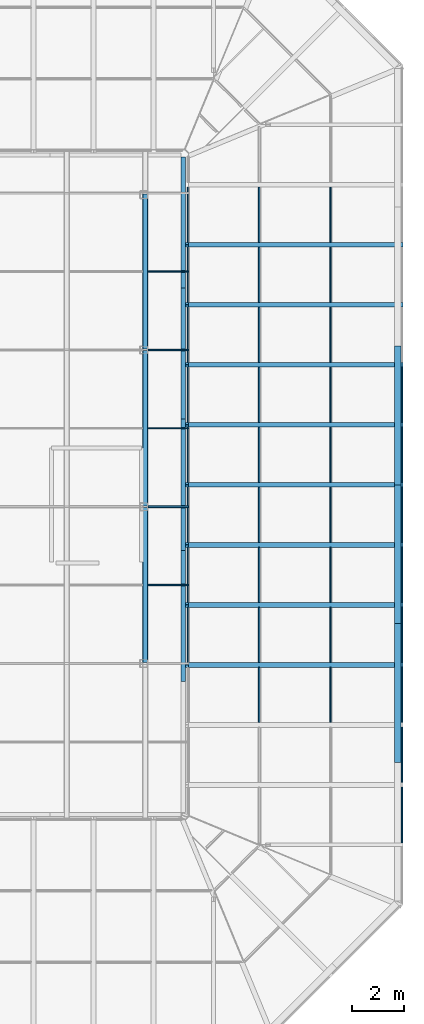
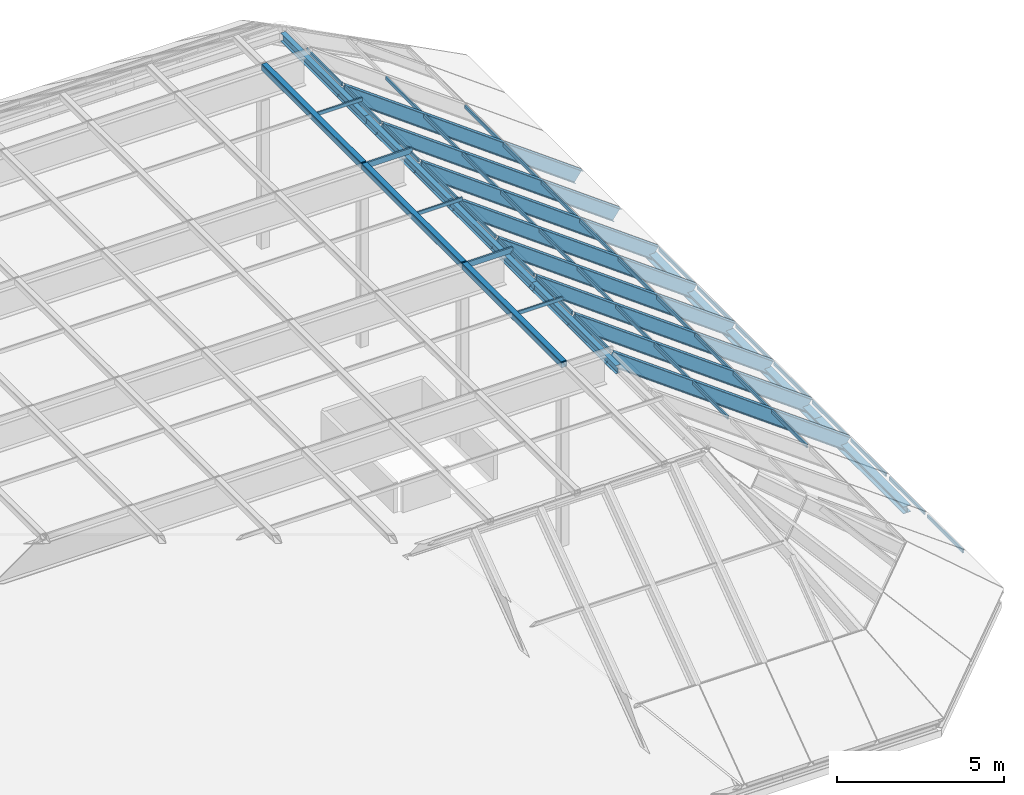
# One storey, part 7 of 15: 60 members, 2 elements without a shape of their own.
"""IFC4 building model written with IfcOpenShell, lengths in metres."""

import ifcopenshell
import ifcopenshell.guid

model = None  # the IFC model being written
_history = None  # IfcOwnerHistory: only IFC2X3 demands one
_inside = {}  # id of a spatial element -> (the spatial element, [elements in it])
_under = {}  # id of a project, library or spatial element -> (it, [spatial elements below it])
_declared = {}  # id of a project -> (the project, [libraries it declares])
_typed = {}  # id of a type object -> (the type object, [elements of that type])
_made_of = {}  # id of a material, layer set ... -> (it, [elements and type objects made of it])


def new_model(schema):
    """Start an empty IFC model of exactly this schema.

    Asked for "IFC4X3", IfcOpenShell would pick the latest addendum, in which some entities
    have other attributes; the version numbers below select the first issue.
    IFC2X3 requires an IfcOwnerHistory on every rooted entity: one is made here for all.
    """
    global model, _history
    if schema == "IFC4X3":
        model = ifcopenshell.file(schema_version=(4, 3, 0, 0))
    else:
        model = ifcopenshell.file(schema=schema)
    _inside.clear()
    _under.clear()
    _declared.clear()
    _typed.clear()
    _made_of.clear()
    _history = None
    if model.schema == "IFC2X3":
        org = make("IfcOrganization", Name="unknown")
        user = make(
            "IfcPersonAndOrganization",
            ThePerson=make("IfcPerson", FamilyName="unknown"),
            TheOrganization=org,
        )
        app = make(
            "IfcApplication",
            ApplicationDeveloper=org,
            Version="unknown",
            ApplicationFullName="unknown",
            ApplicationIdentifier="unknown",
        )
        _history = make(
            "IfcOwnerHistory",
            OwningUser=user,
            OwningApplication=app,
            ChangeAction="ADDED",
            CreationDate=0,
        )
    return model


def make(cls, **values):
    """One entity of the class cls with the attributes given. An attribute that is None is left unset."""
    return model.create_entity(
        cls, **{name: value for name, value in values.items() if value is not None}
    )


def rooted(cls, **values):
    """An entity with a GlobalId (a new one), such as an element, a storey or a relation."""
    return make(cls, GlobalId=ifcopenshell.guid.new(), OwnerHistory=_history, **values)


def si_unit(unit_type, name, prefix=None):
    """IfcSIUnit, for example si_unit("LENGTHUNIT", "METRE", prefix="MILLI")."""
    return make("IfcSIUnit", UnitType=unit_type, Prefix=prefix, Name=name)


def assignment(units):
    """IfcUnitAssignment: the units of a project."""
    return None if units is None else make("IfcUnitAssignment", Units=units)


def point(xyz):
    """IfcCartesianPoint."""
    return None if xyz is None else make("IfcCartesianPoint", Coordinates=xyz)


def direction(xyz):
    """IfcDirection."""
    return None if xyz is None else make("IfcDirection", DirectionRatios=xyz)


def frame(location, z_axis=None, x_axis=None):
    """IfcAxis2Placement3D, a coordinate frame: its origin and axes. An axis left out is left unset."""
    return make(
        "IfcAxis2Placement3D",
        Location=point(location),
        Axis=direction(z_axis),
        RefDirection=direction(x_axis),
    )


def frame_2d(location, x_axis=None):
    """IfcAxis2Placement2D, a coordinate frame in the plane: its origin and x axis."""
    return make(
        "IfcAxis2Placement2D", Location=point(location), RefDirection=direction(x_axis)
    )


def origin():
    """The frame at (0, 0, 0) with its axes left unset."""
    return frame((0.0, 0.0, 0.0))


def origin_2d():
    """The frame at (0, 0) in the plane with its x axis left unset."""
    return frame_2d((0.0, 0.0))


def place(relative_to, where):
    """IfcLocalPlacement: puts the frame where relative to a parent placement (None: the world)."""
    return make(
        "IfcLocalPlacement", PlacementRelTo=relative_to, RelativePlacement=where
    )


def context(
    kind, dimensions, precision=None, world=None, true_north=None, identifier=None
):
    """IfcGeometricRepresentationContext, for example the 3D "Model" context."""
    return make(
        "IfcGeometricRepresentationContext",
        ContextIdentifier=identifier,
        ContextType=kind,
        CoordinateSpaceDimension=dimensions,
        Precision=precision,
        WorldCoordinateSystem=world,
        TrueNorth=true_north,
    )


def subcontext(parent, identifier, kind, view, scale=None):
    """IfcGeometricRepresentationSubContext, for example "Body" below "Model"."""
    return make(
        "IfcGeometricRepresentationSubContext",
        ContextIdentifier=identifier,
        ContextType=kind,
        ParentContext=parent,
        TargetScale=scale,
        TargetView=view,
    )


def project(units=None, contexts=None):
    """IfcProject with its units and contexts."""
    return rooted(
        "IfcProject",
        Name="project",
        RepresentationContexts=contexts,
        UnitsInContext=assignment(units),
    )


def spatial(cls, under=None, at=None, **own):
    """A site, building, storey or space (cls), placed at a placement, below another one or the project."""
    s = rooted(cls, ObjectPlacement=at, **own)
    if under is not None:
        _under.setdefault(under.id(), (under, []))[1].append(s)
    return s


def profile(cls, at=None, kind="AREA", **sizes):
    """A parametric profile (cls). Its sizes go by their IFC names, for example OverallWidth=200.0."""
    return make(cls, ProfileType=kind, Position=at, **sizes)


def rectangle(**sizes):
    """IfcRectangleProfileDef."""
    return profile("IfcRectangleProfileDef", **sizes)


def hollow_rectangle(**sizes):
    """IfcRectangleHollowProfileDef."""
    return profile("IfcRectangleHollowProfileDef", **sizes)


def i_section(**sizes):
    """IfcIShapeProfileDef."""
    return profile("IfcIShapeProfileDef", **sizes)


def extrude(swept, where, along, depth):
    """IfcExtrudedAreaSolid: the profile swept, set in the frame where, extruded along a direction by depth."""
    return make(
        "IfcExtrudedAreaSolid",
        SweptArea=swept,
        Position=where,
        ExtrudedDirection=direction(along),
        Depth=depth,
    )


def shape(context_of_items, identifier, shape_type, items):
    """IfcShapeRepresentation: the items that make up one representation, for example the "Body"."""
    return make(
        "IfcShapeRepresentation",
        ContextOfItems=context_of_items,
        RepresentationIdentifier=identifier,
        RepresentationType=shape_type,
        Items=items,
    )


def material(Name=None, Category=None):
    """IfcMaterial."""
    return make("IfcMaterial", Name=Name, Category=Category)


def constituent(of_material, Name=None, Category=None, fraction=None):
    """IfcMaterialConstituent: one of the materials an element consists of."""
    return make(
        "IfcMaterialConstituent",
        Name=Name,
        Material=of_material,
        Fraction=fraction,
        Category=Category,
    )


def constituent_set(constituents=None, Name=None):
    """IfcMaterialConstituentSet."""
    return make(
        "IfcMaterialConstituentSet", Name=Name, MaterialConstituents=constituents
    )


def material_profile(
    of_material, cross_section, Name=None, Category=None, Priority=None
):
    """IfcMaterialProfile: a cross section and its material."""
    return make(
        "IfcMaterialProfile",
        Name=Name,
        Material=of_material,
        Profile=cross_section,
        Priority=Priority,
        Category=Category,
    )


def profile_set(profiles, Name=None, composite=None):
    """IfcMaterialProfileSet."""
    return make(
        "IfcMaterialProfileSet",
        Name=Name,
        MaterialProfiles=profiles,
        CompositeProfile=composite,
    )


def made_of(thing, what):
    """Note that an element or type object is made of a material, layer set ...; save() writes the relation."""
    if what is not None:
        _made_of.setdefault(what.id(), (what, []))[1].append(thing)
    return thing


def type_object(cls, material=None, **own):
    """A type object (cls), such as IfcWallType, which elements share."""
    return made_of(rooted(cls, **own), material)


def element(
    cls,
    number,
    at=None,
    inside=None,
    cuts=None,
    type_object=None,
    material=None,
    context=None,
    identifier="Body",
    shape_type=None,
    held_by="IfcProductDefinitionShape",
    body=None,
    shapes=None,
    **own,
):
    """One element of the class cls, such as IfcWall. Its Tag is "e" and its number.

    at: its placement. inside: the storey or other place that contains it. cuts: it is an
    opening in that element (IfcRelVoidsElement). A single representation is given by context,
    identifier, shape_type and body (its items); several are given by shapes. held_by: the class
    of the entity that holds the representations. save() writes the other relations.
    """
    e = rooted(cls, Tag="e%d" % number, ObjectPlacement=at, **own)
    if body is not None:
        shapes = [shape(context, identifier, shape_type, body)]
    if shapes is not None:
        e.Representation = make(held_by, Representations=shapes)
    if inside is not None:
        _inside.setdefault(inside.id(), (inside, []))[1].append(e)
    if cuts is not None:
        rooted(
            "IfcRelVoidsElement", RelatingBuildingElement=cuts, RelatedOpeningElement=e
        )
    if type_object is not None:
        _typed.setdefault(type_object.id(), (type_object, []))[1].append(e)
    return made_of(e, material)


def aggregate(whole, parts):
    """IfcRelAggregates: a whole, such as a stair, and the parts it consists of."""
    return rooted("IfcRelAggregates", RelatingObject=whole, RelatedObjects=parts)


def save(model, path):
    """Write the relations noted so far, then the file.

    IfcRelAggregates (storeys below a building ...), IfcRelContainedInSpatialStructure (elements
    in a storey), IfcRelDefinesByType, IfcRelAssociatesMaterial and IfcRelDeclares: one each for
    every whole, place, type object, material and project.
    """
    for whole, parts in _under.values():
        aggregate(whole, parts)
    for where, things in _inside.values():
        rooted(
            "IfcRelContainedInSpatialStructure",
            RelatedElements=things,
            RelatingStructure=where,
        )
    for kind, things in _typed.values():
        rooted("IfcRelDefinesByType", RelatedObjects=things, RelatingType=kind)
    for what, things in _made_of.values():
        rooted("IfcRelAssociatesMaterial", RelatedObjects=things, RelatingMaterial=what)
    for by, libraries in _declared.values():
        rooted("IfcRelDeclares", RelatingContext=by, RelatedDefinitions=libraries)
    model.write(path)


model = new_model("IFC4")

# Units and contexts
model_context = context("Model", 3, precision=1e-05, world=origin(), true_north=direction((0.0, 1.0)))
body_context = subcontext(model_context, "Body", "Model", "MODEL_VIEW")
ifc_project = project(units=[si_unit("LENGTHUNIT", "METRE"), si_unit("AREAUNIT", "SQUARE_METRE"), si_unit("VOLUMEUNIT", "CUBIC_METRE"), si_unit("PLANEANGLEUNIT", "RADIAN"), si_unit("MASSUNIT", "GRAM", prefix="KILO")], contexts=[model_context])

# Site, building, storey
site_placement = place(None, origin())
site = spatial("IfcSite", under=ifc_project, at=site_placement, CompositionType="ELEMENT")
building_placement = place(site_placement, origin())
building = spatial("IfcBuilding", under=site, at=building_placement, Name="Quoin Convention Tower", CompositionType="ELEMENT")
storey_placement = place(building_placement, frame((0.0, 0.0, 273.699951171875)))
storey = spatial("IfcBuildingStorey", under=building, at=storey_placement, Name="Roof", CompositionType="ELEMENT", Elevation=273.699951171875)

# Curtain wall, members
ifc_material_1 = material(Name="Aluminium", Category="aluminium")
ifc_constituent_1 = constituent(ifc_material_1, Name="Frame")
ifc_material_2 = material(Name="Insulated glass", Category="glass")
ifc_constituent_2 = constituent(ifc_material_2, Name="Glazing")
ifc_constituent_set = constituent_set(constituents=[ifc_constituent_1, ifc_constituent_2], Name="Aluminium")
curtain_wall_type = type_object("IfcCurtainWallType", Name="Lantern roof system", PredefinedType="NOTDEFINED", material=ifc_constituent_set)
curtain_wall_1_placement = place(storey_placement, origin())
curtain_wall_1 = element("IfcCurtainWall", 1, at=curtain_wall_1_placement, inside=storey, type_object=curtain_wall_type, Name="crn-LNR-CAP", PredefinedType="NOTDEFINED")
ifc_material_3 = material(Name="Steel C450L0", Category="steel")
ifc_material_profile_1 = material_profile(ifc_material_3, hollow_rectangle(XDim=0.199951171875, YDim=0.199951171875, WallThickness=0.010009765625, InnerFilletRadius=0.014892578125, OuterFilletRadius=0.02490234375, at=origin_2d()), Name="200x200x10.0SHS")
ifc_profile_set_1 = profile_set([ifc_material_profile_1], Name="Steel C450L0")
member_type_1 = type_object("IfcMemberType", Name="200x200x10.0SHS LANTERN CAP RAIL", PredefinedType="MULLION", material=ifc_profile_set_1)
member_1_placement = place(storey_placement, frame((67.409912109375, 53.93994140625, 6.495361328125), z_axis=(0.0, 1.0, 0.0), x_axis=(-1.0, 0.0, 0.0)))
member_1 = element("IfcMember", 2, at=member_1_placement, type_object=member_type_1, Name="CW6 cap rail", PredefinedType="MULLION", context=body_context, shape_type="SweptSolid", body=[
    extrude(hollow_rectangle(XDim=0.199951171875, YDim=0.199951171875, WallThickness=0.010009765625, InnerFilletRadius=0.014892578125, OuterFilletRadius=0.02490234375, at=origin_2d()), origin(), (0.0, 0.0, 1.0), 5.93994140625),
])
member_2_placement = place(storey_placement, frame((67.409912109375, 59.93994140625, 6.495361328125), z_axis=(0.0, 1.0, 0.0), x_axis=(-1.0, 0.0, 0.0)))
member_2 = element("IfcMember", 3, at=member_2_placement, type_object=member_type_1, Name="CW6 cap rail", PredefinedType="MULLION", context=body_context, shape_type="SweptSolid", body=[
    extrude(hollow_rectangle(XDim=0.199951171875, YDim=0.199951171875, WallThickness=0.010009765625, InnerFilletRadius=0.014892578125, OuterFilletRadius=0.02490234375, at=origin_2d()), origin(), (0.0, 0.0, 1.0), 5.93994140625),
])
member_3_placement = place(storey_placement, frame((67.409912109375, 65.93994140625, 6.495361328125), z_axis=(0.0, 1.0, 0.0), x_axis=(-1.0, 0.0, 0.0)))
member_3 = element("IfcMember", 4, at=member_3_placement, type_object=member_type_1, Name="CW6 cap rail", PredefinedType="MULLION", context=body_context, shape_type="SweptSolid", body=[
    extrude(hollow_rectangle(XDim=0.199951171875, YDim=0.199951171875, WallThickness=0.010009765625, InnerFilletRadius=0.014892578125, OuterFilletRadius=0.02490234375, at=origin_2d()), origin(), (0.0, 0.0, 1.0), 5.93994140625),
])

# Members
ifc_material_4 = material(Name="Steel Grade 300", Category="steel")
ifc_material_profile_2 = material_profile(ifc_material_4, i_section(OverallWidth=0.256103515625, OverallDepth=0.260009765625, WebThickness=0.010498046875, FlangeThickness=0.017333984375, FilletRadius=0.013916015625, at=origin_2d()), Name="250UC89.5")
ifc_profile_set_2 = profile_set([ifc_material_profile_2], Name="Steel Grade 300")
member_type_2 = type_object("IfcMemberType", Name="250UC89.5 EAVES RING", PredefinedType="CHORD", material=ifc_profile_set_2)
for number, where, z_axis, x_axis, name in (
    (5, (77.072021484375, 50.12744140625, 0.130126953125), (0.0, 1.0, 0.0), (-1.0, 0.0, 0.0), "LANTERN EAVES RING"),
    (6, (77.072021484375, 55.438720703125, 0.130126953125), (0.0, 1.0, 0.0), (-1.0, 0.0, 0.0), "LANTERN EAVES RING"),
    (7, (77.072021484375, 60.75, 0.130126953125), (0.0, 1.0, 0.0), (-1.0, 0.0, 0.0), "LANTERN EAVES RING"),
):
    element("IfcMember", number, at=place(storey_placement, frame(where, z_axis=z_axis, x_axis=x_axis)), inside=storey, type_object=member_type_2, Name=name, PredefinedType="CHORD", context=body_context, shape_type="SweptSolid", body=[
        extrude(i_section(OverallWidth=0.256103515625, OverallDepth=0.260009765625, WebThickness=0.010498046875, FlangeThickness=0.017333984375, FilletRadius=0.013916015625, at=origin_2d()), origin(), (0.0, 0.0, 1.0), 5.311279296875),
    ])
ifc_material_profile_3 = material_profile(ifc_material_4, i_section(OverallWidth=0.166015625, OverallDepth=0.306884765625, WebThickness=0.006591796875, FlangeThickness=0.01171875, FilletRadius=0.011474609375, at=origin_2d()), Name="310UB46.2")
ifc_profile_set_3 = profile_set([ifc_material_profile_3], Name="Steel Grade 300")
member_type_3 = type_object("IfcMemberType", Name="310UB46.2 COMPRESSION RING", PredefinedType="CHORD", material=ifc_profile_set_3)
member_4_placement = place(storey_placement, frame((68.873046875, 53.22607421875, 6.241943359375), z_axis=(0.0, 1.0, 0.0), x_axis=(-1.0, 0.0, 0.0)))
element("IfcMember", 8, at=member_4_placement, inside=storey, type_object=member_type_3, Name="LANTERN COMPRESSION RING", PredefinedType="CHORD", context=body_context, shape_type="SweptSolid", body=[
    extrude(i_section(OverallWidth=0.166015625, OverallDepth=0.306884765625, WebThickness=0.006591796875, FlangeThickness=0.01171875, FilletRadius=0.011474609375, at=origin_2d()), origin(), (0.0, 0.0, 1.0), 5.015869140625),
])
member_5_placement = place(storey_placement, frame((68.873046875, 58.241943359375, 6.241943359375), z_axis=(0.0, 1.0, 0.0), x_axis=(-1.0, 0.0, 0.0)))
element("IfcMember", 9, at=member_5_placement, inside=storey, type_object=member_type_3, Name="LANTERN COMPRESSION RING", PredefinedType="CHORD", context=body_context, shape_type="SweptSolid", body=[
    extrude(i_section(OverallWidth=0.166015625, OverallDepth=0.306884765625, WebThickness=0.006591796875, FlangeThickness=0.01171875, FilletRadius=0.011474609375, at=origin_2d()), origin(), (0.0, 0.0, 1.0), 5.01611328125),
])
member_6_placement = place(storey_placement, frame((68.873046875, 63.258056640625, 6.241943359375), z_axis=(0.0, 1.0, 0.0), x_axis=(-1.0, 0.0, 0.0)))
element("IfcMember", 10, at=member_6_placement, inside=storey, type_object=member_type_3, Name="LANTERN COMPRESSION RING", PredefinedType="CHORD", context=body_context, shape_type="SweptSolid", body=[
    extrude(i_section(OverallWidth=0.166015625, OverallDepth=0.306884765625, WebThickness=0.006591796875, FlangeThickness=0.01171875, FilletRadius=0.011474609375, at=origin_2d()), origin(), (0.0, 0.0, 1.0), 5.015869140625),
])
member_7_placement = place(storey_placement, frame((68.873046875, 68.27392578125, 6.241943359375), z_axis=(0.0, 1.0, 0.0), x_axis=(-1.0, 0.0, 0.0)))
element("IfcMember", 11, at=member_7_placement, inside=storey, type_object=member_type_3, Name="LANTERN COMPRESSION RING", PredefinedType="CHORD", context=body_context, shape_type="SweptSolid", body=[
    extrude(i_section(OverallWidth=0.166015625, OverallDepth=0.306884765625, WebThickness=0.006591796875, FlangeThickness=0.01171875, FilletRadius=0.011474609375, at=origin_2d()), origin(), (0.0, 0.0, 1.0), 5.01611328125),
])

# Curtain wall, members
curtain_wall_2_placement = place(storey_placement, origin())
curtain_wall_2 = element("IfcCurtainWall", 12, at=curtain_wall_2_placement, inside=storey, type_object=curtain_wall_type, Name="crn-LNR-F77290_44673", PredefinedType="NOTDEFINED")
ifc_material_profile_4 = material_profile(ifc_material_4, i_section(OverallWidth=0.18994140625, OverallDepth=0.4541015625, WebThickness=0.008544921875, FlangeThickness=0.0126953125, FilletRadius=0.011474609375, at=origin_2d()), Name="460UB67.1")
ifc_profile_set_4 = profile_set([ifc_material_profile_4], Name="Steel Grade 300")
member_type_4 = type_object("IfcMemberType", Name="460UB67.1 LANTERN RAFTER", PredefinedType="MULLION", material=ifc_profile_set_4)
member_8_placement = place(storey_placement, frame((77.139404296875, 53.85986328125, 0.26953125), z_axis=(-0.807028649932, 0.0, 0.590512284537), x_axis=(0.0, -1.0, 0.0)))
member_8 = element("IfcMember", 13, at=member_8_placement, type_object=member_type_4, Name="CW6 steel rafter", PredefinedType="MULLION", context=body_context, shape_type="SweptSolid", body=[
    extrude(i_section(OverallWidth=0.18994140625, OverallDepth=0.4541015625, WebThickness=0.008544921875, FlangeThickness=0.0126953125, FilletRadius=0.011474609375, at=origin_2d()), origin(), (0.0, 0.0, 1.0), 10.16064453125),
])
member_9_placement = place(storey_placement, frame((77.139404296875, 56.156494140625, 0.26953125), z_axis=(-0.807028649932, 0.0, 0.590512284537), x_axis=(0.0, -1.0, 0.0)))
member_9 = element("IfcMember", 14, at=member_9_placement, type_object=member_type_4, Name="CW6 steel rafter", PredefinedType="MULLION", context=body_context, shape_type="SweptSolid", body=[
    extrude(i_section(OverallWidth=0.18994140625, OverallDepth=0.4541015625, WebThickness=0.008544921875, FlangeThickness=0.0126953125, FilletRadius=0.011474609375, at=origin_2d()), origin(), (0.0, 0.0, 1.0), 10.16064453125),
])
member_10_placement = place(storey_placement, frame((77.139404296875, 58.453369140625, 0.26953125), z_axis=(-0.807028649932, 0.0, 0.590512284537), x_axis=(0.0, -1.0, 0.0)))
member_10 = element("IfcMember", 15, at=member_10_placement, type_object=member_type_4, Name="CW6 steel rafter", PredefinedType="MULLION", context=body_context, shape_type="SweptSolid", body=[
    extrude(i_section(OverallWidth=0.18994140625, OverallDepth=0.4541015625, WebThickness=0.008544921875, FlangeThickness=0.0126953125, FilletRadius=0.011474609375, at=origin_2d()), origin(), (0.0, 0.0, 1.0), 10.16064453125),
])
member_11_placement = place(storey_placement, frame((77.139404296875, 60.75, 0.26953125), z_axis=(-0.807028649932, 0.0, 0.590512284537), x_axis=(0.0, -1.0, 0.0)))
member_11 = element("IfcMember", 16, at=member_11_placement, type_object=member_type_4, Name="CW6 steel rafter", PredefinedType="MULLION", context=body_context, shape_type="SweptSolid", body=[
    extrude(i_section(OverallWidth=0.18994140625, OverallDepth=0.4541015625, WebThickness=0.008544921875, FlangeThickness=0.0126953125, FilletRadius=0.011474609375, at=origin_2d()), origin(), (0.0, 0.0, 1.0), 10.16064453125),
])
member_12_placement = place(storey_placement, frame((77.139404296875, 63.046630859375, 0.26953125), z_axis=(-0.807028649932, 0.0, 0.590512284537), x_axis=(0.0, -1.0, 0.0)))
member_12 = element("IfcMember", 17, at=member_12_placement, type_object=member_type_4, Name="CW6 steel rafter", PredefinedType="MULLION", context=body_context, shape_type="SweptSolid", body=[
    extrude(i_section(OverallWidth=0.18994140625, OverallDepth=0.4541015625, WebThickness=0.008544921875, FlangeThickness=0.0126953125, FilletRadius=0.011474609375, at=origin_2d()), origin(), (0.0, 0.0, 1.0), 10.16064453125),
])
member_13_placement = place(storey_placement, frame((77.139404296875, 65.343505859375, 0.26953125), z_axis=(-0.807028649932, 0.0, 0.590512284537), x_axis=(0.0, -1.0, 0.0)))
member_13 = element("IfcMember", 18, at=member_13_placement, type_object=member_type_4, Name="CW6 steel rafter", PredefinedType="MULLION", context=body_context, shape_type="SweptSolid", body=[
    extrude(i_section(OverallWidth=0.18994140625, OverallDepth=0.4541015625, WebThickness=0.008544921875, FlangeThickness=0.0126953125, FilletRadius=0.011474609375, at=origin_2d()), origin(), (0.0, 0.0, 1.0), 10.16064453125),
])
member_14_placement = place(storey_placement, frame((77.139404296875, 67.64013671875, 0.26953125), z_axis=(-0.807028649932, 0.0, 0.590512284537), x_axis=(0.0, -1.0, 0.0)))
member_14 = element("IfcMember", 19, at=member_14_placement, type_object=member_type_4, Name="CW6 steel rafter", PredefinedType="MULLION", context=body_context, shape_type="SweptSolid", body=[
    extrude(i_section(OverallWidth=0.18994140625, OverallDepth=0.4541015625, WebThickness=0.008544921875, FlangeThickness=0.0126953125, FilletRadius=0.011474609375, at=origin_2d()), origin(), (0.0, 0.0, 1.0), 10.16064453125),
])
member_15_placement = place(storey_placement, frame((77.139404296875, 69.93701171875, 0.26953125), z_axis=(-0.807028649932, 0.0, 0.590512284537), x_axis=(0.0, -1.0, 0.0)))
member_15 = element("IfcMember", 20, at=member_15_placement, type_object=member_type_4, Name="CW6 steel rafter", PredefinedType="MULLION", context=body_context, shape_type="SweptSolid", body=[
    extrude(i_section(OverallWidth=0.18994140625, OverallDepth=0.4541015625, WebThickness=0.008544921875, FlangeThickness=0.0126953125, FilletRadius=0.011474609375, at=origin_2d()), origin(), (0.0, 0.0, 1.0), 10.16064453125),
])

# Member
ifc_material_profile_5 = material_profile(ifc_material_1, rectangle(XDim=0.028076171875, YDim=0.179931640625, at=origin_2d()), Name="Lantern roof cap cover bar 180x28")
ifc_profile_set_5 = profile_set([ifc_material_profile_5], Name="Aluminium")
member_type_5 = type_object("IfcMemberType", Name="Lantern roof cap cover bar 180x28", PredefinedType="USERDEFINED", material=ifc_profile_set_5)
member_16_placement = place(storey_placement, frame((67.409912109375, 53.93994140625, 6.609375), z_axis=(0.0, 1.0, 0.0), x_axis=(0.0, 0.0, 1.0)))
member_16 = element("IfcMember", 21, at=member_16_placement, type_object=member_type_5, Name="CW6 cap cover bar", ObjectType="CAP COVER", PredefinedType="USERDEFINED", context=body_context, shape_type="SweptSolid", body=[
    extrude(rectangle(XDim=0.028076171875, YDim=0.179931640625, at=origin_2d()), origin(), (0.0, 0.0, 1.0), 5.93994140625),
])

member_17_placement = place(storey_placement, frame((67.409912109375, 59.93994140625, 6.609375), z_axis=(0.0, 1.0, 0.0), x_axis=(0.0, 0.0, 1.0)))
member_17 = element("IfcMember", 22, at=member_17_placement, type_object=member_type_5, Name="CW6 cap cover bar", ObjectType="CAP COVER", PredefinedType="USERDEFINED", context=body_context, shape_type="SweptSolid", body=[
    extrude(rectangle(XDim=0.028076171875, YDim=0.179931640625, at=origin_2d()), origin(), (0.0, 0.0, 1.0), 5.93994140625),
])

member_18_placement = place(storey_placement, frame((67.409912109375, 65.93994140625, 6.609375), z_axis=(0.0, 1.0, 0.0), x_axis=(0.0, 0.0, 1.0)))
member_18 = element("IfcMember", 23, at=member_18_placement, type_object=member_type_5, Name="CW6 cap cover bar", ObjectType="CAP COVER", PredefinedType="USERDEFINED", context=body_context, shape_type="SweptSolid", body=[
    extrude(rectangle(XDim=0.028076171875, YDim=0.179931640625, at=origin_2d()), origin(), (0.0, 0.0, 1.0), 5.93994140625),
])

ifc_material_profile_6 = material_profile(ifc_material_1, rectangle(XDim=0.199951171875, YDim=0.06005859375, at=origin_2d()), Name="Lantern roof mullion 60x200")
ifc_profile_set_6 = profile_set([ifc_material_profile_6], Name="Aluminium")
member_type_6 = type_object("IfcMemberType", Name="Lantern roof mullion 60x200", PredefinedType="MULLION", material=ifc_profile_set_6)
member_19_placement = place(storey_placement, frame((67.510009765625, 59.909912109375, 6.495361328125), z_axis=(1.0, 0.0, 0.0), x_axis=(0.0, 0.0, 1.0)))
member_19 = element("IfcMember", 24, at=member_19_placement, type_object=member_type_6, Name="CW6 cap beam", PredefinedType="MULLION", context=body_context, shape_type="SweptSolid", body=[
    extrude(rectangle(XDim=0.199951171875, YDim=0.06005859375, at=origin_2d()), origin(), (0.0, 0.0, 1.0), 1.5634765625),
])

member_20_placement = place(storey_placement, frame((67.510009765625, 65.909912109375, 6.495361328125), z_axis=(1.0, 0.0, 0.0), x_axis=(0.0, 0.0, 1.0)))
member_20 = element("IfcMember", 25, at=member_20_placement, type_object=member_type_6, Name="CW6 cap beam", PredefinedType="MULLION", context=body_context, shape_type="SweptSolid", body=[
    extrude(rectangle(XDim=0.199951171875, YDim=0.06005859375, at=origin_2d()), origin(), (0.0, 0.0, 1.0), 1.5634765625),
])

ifc_material_profile_7 = material_profile(ifc_material_1, rectangle(XDim=0.1201171875, YDim=0.050048828125, at=origin_2d()), Name="Lantern roof transom 50x120")
ifc_profile_set_7 = profile_set([ifc_material_profile_7], Name="Aluminium")
member_type_7 = type_object("IfcMemberType", Name="Lantern roof transom 50x120", PredefinedType="USERDEFINED", material=ifc_profile_set_7)
member_21_placement = place(storey_placement, frame((77.238037109375, 47.0439453125, 0.404541015625), z_axis=(0.0, 1.0, 0.0), x_axis=(0.0, 0.0, 1.0)))
member_21 = element("IfcMember", 26, at=member_21_placement, type_object=member_type_7, Name="CW6 transom", ObjectType="TRANSOM", PredefinedType="USERDEFINED", context=body_context, shape_type="SweptSolid", body=[
    extrude(rectangle(XDim=0.1201171875, YDim=0.050048828125, at=origin_2d()), origin(), (0.0, 0.0, 1.0), 2.12744140625),
])

member_22_placement = place(storey_placement, frame((77.238037109375, 49.361328125, 0.404541015625), z_axis=(0.0, 1.0, 0.0), x_axis=(0.0, 0.0, 1.0)))
member_22 = element("IfcMember", 27, at=member_22_placement, type_object=member_type_7, Name="CW6 transom", ObjectType="TRANSOM", PredefinedType="USERDEFINED", context=body_context, shape_type="SweptSolid", body=[
    extrude(rectangle(XDim=0.1201171875, YDim=0.050048828125, at=origin_2d()), origin(), (0.0, 0.0, 1.0), 2.106689453125),
])

member_23_placement = place(storey_placement, frame((77.238037109375, 51.657958984375, 0.404541015625), z_axis=(0.0, 1.0, 0.0), x_axis=(0.0, 0.0, 1.0)))
member_23 = element("IfcMember", 28, at=member_23_placement, type_object=member_type_7, Name="CW6 transom", ObjectType="TRANSOM", PredefinedType="USERDEFINED", context=body_context, shape_type="SweptSolid", body=[
    extrude(rectangle(XDim=0.1201171875, YDim=0.050048828125, at=origin_2d()), origin(), (0.0, 0.0, 1.0), 2.10693359375),
])

member_24_placement = place(storey_placement, frame((77.238037109375, 53.954833984375, 0.404541015625), z_axis=(0.0, 1.0, 0.0), x_axis=(0.0, 0.0, 1.0)))
member_24 = element("IfcMember", 29, at=member_24_placement, type_object=member_type_7, Name="CW6 transom", ObjectType="TRANSOM", PredefinedType="USERDEFINED", context=body_context, shape_type="SweptSolid", body=[
    extrude(rectangle(XDim=0.1201171875, YDim=0.050048828125, at=origin_2d()), origin(), (0.0, 0.0, 1.0), 2.106689453125),
])

member_25_placement = place(storey_placement, frame((77.238037109375, 56.25146484375, 0.404541015625), z_axis=(0.0, 1.0, 0.0), x_axis=(0.0, 0.0, 1.0)))
member_25 = element("IfcMember", 30, at=member_25_placement, type_object=member_type_7, Name="CW6 transom", ObjectType="TRANSOM", PredefinedType="USERDEFINED", context=body_context, shape_type="SweptSolid", body=[
    extrude(rectangle(XDim=0.1201171875, YDim=0.050048828125, at=origin_2d()), origin(), (0.0, 0.0, 1.0), 2.10693359375),
])

member_26_placement = place(storey_placement, frame((77.238037109375, 58.54833984375, 0.404541015625), z_axis=(0.0, 1.0, 0.0), x_axis=(0.0, 0.0, 1.0)))
member_26 = element("IfcMember", 31, at=member_26_placement, type_object=member_type_7, Name="CW6 transom", ObjectType="TRANSOM", PredefinedType="USERDEFINED", context=body_context, shape_type="SweptSolid", body=[
    extrude(rectangle(XDim=0.1201171875, YDim=0.050048828125, at=origin_2d()), origin(), (0.0, 0.0, 1.0), 2.106689453125),
])

member_27_placement = place(storey_placement, frame((77.238037109375, 60.844970703125, 0.404541015625), z_axis=(0.0, 1.0, 0.0), x_axis=(0.0, 0.0, 1.0)))
member_27 = element("IfcMember", 32, at=member_27_placement, type_object=member_type_7, Name="CW6 transom", ObjectType="TRANSOM", PredefinedType="USERDEFINED", context=body_context, shape_type="SweptSolid", body=[
    extrude(rectangle(XDim=0.1201171875, YDim=0.050048828125, at=origin_2d()), origin(), (0.0, 0.0, 1.0), 2.106689453125),
])

member_28_placement = place(storey_placement, frame((77.238037109375, 63.1416015625, 0.404541015625), z_axis=(0.0, 1.0, 0.0), x_axis=(0.0, 0.0, 1.0)))
member_28 = element("IfcMember", 33, at=member_28_placement, type_object=member_type_7, Name="CW6 transom", ObjectType="TRANSOM", PredefinedType="USERDEFINED", context=body_context, shape_type="SweptSolid", body=[
    extrude(rectangle(XDim=0.1201171875, YDim=0.050048828125, at=origin_2d()), origin(), (0.0, 0.0, 1.0), 2.10693359375),
])

member_29_placement = place(storey_placement, frame((74.504638671875, 51.657958984375, 2.404541015625), z_axis=(0.0, 1.0, 0.0), x_axis=(0.0, 0.0, 1.0)))
member_29 = element("IfcMember", 34, at=member_29_placement, type_object=member_type_7, Name="CW6 transom", ObjectType="TRANSOM", PredefinedType="USERDEFINED", context=body_context, shape_type="SweptSolid", body=[
    extrude(rectangle(XDim=0.1201171875, YDim=0.050048828125, at=origin_2d()), origin(), (0.0, 0.0, 1.0), 2.10693359375),
])

member_30_placement = place(storey_placement, frame((74.504638671875, 53.954833984375, 2.404541015625), z_axis=(0.0, 1.0, 0.0), x_axis=(0.0, 0.0, 1.0)))
member_30 = element("IfcMember", 35, at=member_30_placement, type_object=member_type_7, Name="CW6 transom", ObjectType="TRANSOM", PredefinedType="USERDEFINED", context=body_context, shape_type="SweptSolid", body=[
    extrude(rectangle(XDim=0.1201171875, YDim=0.050048828125, at=origin_2d()), origin(), (0.0, 0.0, 1.0), 2.106689453125),
])

member_31_placement = place(storey_placement, frame((74.504638671875, 56.25146484375, 2.404541015625), z_axis=(0.0, 1.0, 0.0), x_axis=(0.0, 0.0, 1.0)))
member_31 = element("IfcMember", 36, at=member_31_placement, type_object=member_type_7, Name="CW6 transom", ObjectType="TRANSOM", PredefinedType="USERDEFINED", context=body_context, shape_type="SweptSolid", body=[
    extrude(rectangle(XDim=0.1201171875, YDim=0.050048828125, at=origin_2d()), origin(), (0.0, 0.0, 1.0), 2.10693359375),
])

member_32_placement = place(storey_placement, frame((74.504638671875, 58.54833984375, 2.404541015625), z_axis=(0.0, 1.0, 0.0), x_axis=(0.0, 0.0, 1.0)))
member_32 = element("IfcMember", 37, at=member_32_placement, type_object=member_type_7, Name="CW6 transom", ObjectType="TRANSOM", PredefinedType="USERDEFINED", context=body_context, shape_type="SweptSolid", body=[
    extrude(rectangle(XDim=0.1201171875, YDim=0.050048828125, at=origin_2d()), origin(), (0.0, 0.0, 1.0), 2.106689453125),
])

member_33_placement = place(storey_placement, frame((74.504638671875, 60.844970703125, 2.404541015625), z_axis=(0.0, 1.0, 0.0), x_axis=(0.0, 0.0, 1.0)))
member_33 = element("IfcMember", 38, at=member_33_placement, type_object=member_type_7, Name="CW6 transom", ObjectType="TRANSOM", PredefinedType="USERDEFINED", context=body_context, shape_type="SweptSolid", body=[
    extrude(rectangle(XDim=0.1201171875, YDim=0.050048828125, at=origin_2d()), origin(), (0.0, 0.0, 1.0), 2.106689453125),
])

member_34_placement = place(storey_placement, frame((74.504638671875, 63.1416015625, 2.404541015625), z_axis=(0.0, 1.0, 0.0), x_axis=(0.0, 0.0, 1.0)))
member_34 = element("IfcMember", 39, at=member_34_placement, type_object=member_type_7, Name="CW6 transom", ObjectType="TRANSOM", PredefinedType="USERDEFINED", context=body_context, shape_type="SweptSolid", body=[
    extrude(rectangle(XDim=0.1201171875, YDim=0.050048828125, at=origin_2d()), origin(), (0.0, 0.0, 1.0), 2.10693359375),
])

member_35_placement = place(storey_placement, frame((74.504638671875, 65.4384765625, 2.404541015625), z_axis=(0.0, 1.0, 0.0), x_axis=(0.0, 0.0, 1.0)))
member_35 = element("IfcMember", 40, at=member_35_placement, type_object=member_type_7, Name="CW6 transom", ObjectType="TRANSOM", PredefinedType="USERDEFINED", context=body_context, shape_type="SweptSolid", body=[
    extrude(rectangle(XDim=0.1201171875, YDim=0.050048828125, at=origin_2d()), origin(), (0.0, 0.0, 1.0), 2.106689453125),
])

member_36_placement = place(storey_placement, frame((74.504638671875, 67.735107421875, 2.404541015625), z_axis=(0.0, 1.0, 0.0), x_axis=(0.0, 0.0, 1.0)))
member_36 = element("IfcMember", 41, at=member_36_placement, type_object=member_type_7, Name="CW6 transom", ObjectType="TRANSOM", PredefinedType="USERDEFINED", context=body_context, shape_type="SweptSolid", body=[
    extrude(rectangle(XDim=0.1201171875, YDim=0.050048828125, at=origin_2d()), origin(), (0.0, 0.0, 1.0), 2.10693359375),
])

member_37_placement = place(storey_placement, frame((74.504638671875, 70.031982421875, 2.404541015625), z_axis=(0.0, 1.0, 0.0), x_axis=(0.0, 0.0, 1.0)))
member_37 = element("IfcMember", 42, at=member_37_placement, type_object=member_type_7, Name="CW6 transom", ObjectType="TRANSOM", PredefinedType="USERDEFINED", context=body_context, shape_type="SweptSolid", body=[
    extrude(rectangle(XDim=0.1201171875, YDim=0.050048828125, at=origin_2d()), origin(), (0.0, 0.0, 1.0), 2.106689453125),
])

member_38_placement = place(storey_placement, frame((71.771484375, 51.657958984375, 4.404541015625), z_axis=(0.0, 1.0, 0.0), x_axis=(0.0, 0.0, 1.0)))
member_38 = element("IfcMember", 43, at=member_38_placement, type_object=member_type_7, Name="CW6 transom", ObjectType="TRANSOM", PredefinedType="USERDEFINED", context=body_context, shape_type="SweptSolid", body=[
    extrude(rectangle(XDim=0.1201171875, YDim=0.050048828125, at=origin_2d()), origin(), (0.0, 0.0, 1.0), 2.10693359375),
])

member_39_placement = place(storey_placement, frame((71.771484375, 53.954833984375, 4.404541015625), z_axis=(0.0, 1.0, 0.0), x_axis=(0.0, 0.0, 1.0)))
member_39 = element("IfcMember", 44, at=member_39_placement, type_object=member_type_7, Name="CW6 transom", ObjectType="TRANSOM", PredefinedType="USERDEFINED", context=body_context, shape_type="SweptSolid", body=[
    extrude(rectangle(XDim=0.1201171875, YDim=0.050048828125, at=origin_2d()), origin(), (0.0, 0.0, 1.0), 2.106689453125),
])

member_40_placement = place(storey_placement, frame((71.771484375, 56.25146484375, 4.404541015625), z_axis=(0.0, 1.0, 0.0), x_axis=(0.0, 0.0, 1.0)))
member_40 = element("IfcMember", 45, at=member_40_placement, type_object=member_type_7, Name="CW6 transom", ObjectType="TRANSOM", PredefinedType="USERDEFINED", context=body_context, shape_type="SweptSolid", body=[
    extrude(rectangle(XDim=0.1201171875, YDim=0.050048828125, at=origin_2d()), origin(), (0.0, 0.0, 1.0), 2.10693359375),
])

member_41_placement = place(storey_placement, frame((71.771484375, 58.54833984375, 4.404541015625), z_axis=(0.0, 1.0, 0.0), x_axis=(0.0, 0.0, 1.0)))
member_41 = element("IfcMember", 46, at=member_41_placement, type_object=member_type_7, Name="CW6 transom", ObjectType="TRANSOM", PredefinedType="USERDEFINED", context=body_context, shape_type="SweptSolid", body=[
    extrude(rectangle(XDim=0.1201171875, YDim=0.050048828125, at=origin_2d()), origin(), (0.0, 0.0, 1.0), 2.106689453125),
])

member_42_placement = place(storey_placement, frame((71.771484375, 60.844970703125, 4.404541015625), z_axis=(0.0, 1.0, 0.0), x_axis=(0.0, 0.0, 1.0)))
member_42 = element("IfcMember", 47, at=member_42_placement, type_object=member_type_7, Name="CW6 transom", ObjectType="TRANSOM", PredefinedType="USERDEFINED", context=body_context, shape_type="SweptSolid", body=[
    extrude(rectangle(XDim=0.1201171875, YDim=0.050048828125, at=origin_2d()), origin(), (0.0, 0.0, 1.0), 2.106689453125),
])

member_43_placement = place(storey_placement, frame((71.771484375, 63.1416015625, 4.404541015625), z_axis=(0.0, 1.0, 0.0), x_axis=(0.0, 0.0, 1.0)))
member_43 = element("IfcMember", 48, at=member_43_placement, type_object=member_type_7, Name="CW6 transom", ObjectType="TRANSOM", PredefinedType="USERDEFINED", context=body_context, shape_type="SweptSolid", body=[
    extrude(rectangle(XDim=0.1201171875, YDim=0.050048828125, at=origin_2d()), origin(), (0.0, 0.0, 1.0), 2.10693359375),
])

member_44_placement = place(storey_placement, frame((71.771484375, 65.4384765625, 4.404541015625), z_axis=(0.0, 1.0, 0.0), x_axis=(0.0, 0.0, 1.0)))
member_44 = element("IfcMember", 49, at=member_44_placement, type_object=member_type_7, Name="CW6 transom", ObjectType="TRANSOM", PredefinedType="USERDEFINED", context=body_context, shape_type="SweptSolid", body=[
    extrude(rectangle(XDim=0.1201171875, YDim=0.050048828125, at=origin_2d()), origin(), (0.0, 0.0, 1.0), 2.106689453125),
])

member_45_placement = place(storey_placement, frame((71.771484375, 67.735107421875, 4.404541015625), z_axis=(0.0, 1.0, 0.0), x_axis=(0.0, 0.0, 1.0)))
member_45 = element("IfcMember", 50, at=member_45_placement, type_object=member_type_7, Name="CW6 transom", ObjectType="TRANSOM", PredefinedType="USERDEFINED", context=body_context, shape_type="SweptSolid", body=[
    extrude(rectangle(XDim=0.1201171875, YDim=0.050048828125, at=origin_2d()), origin(), (0.0, 0.0, 1.0), 2.10693359375),
])

member_46_placement = place(storey_placement, frame((71.771484375, 70.031982421875, 4.404541015625), z_axis=(0.0, 1.0, 0.0), x_axis=(0.0, 0.0, 1.0)))
member_46 = element("IfcMember", 51, at=member_46_placement, type_object=member_type_7, Name="CW6 transom", ObjectType="TRANSOM", PredefinedType="USERDEFINED", context=body_context, shape_type="SweptSolid", body=[
    extrude(rectangle(XDim=0.1201171875, YDim=0.050048828125, at=origin_2d()), origin(), (0.0, 0.0, 1.0), 2.106689453125),
])

member_47_placement = place(storey_placement, frame((69.0380859375, 53.954833984375, 6.404541015625), z_axis=(0.0, 1.0, 0.0), x_axis=(0.0, 0.0, 1.0)))
member_47 = element("IfcMember", 52, at=member_47_placement, type_object=member_type_7, Name="CW6 transom", ObjectType="TRANSOM", PredefinedType="USERDEFINED", context=body_context, shape_type="SweptSolid", body=[
    extrude(rectangle(XDim=0.1201171875, YDim=0.050048828125, at=origin_2d()), origin(), (0.0, 0.0, 1.0), 2.106689453125),
])

member_48_placement = place(storey_placement, frame((69.0380859375, 56.25146484375, 6.404541015625), z_axis=(0.0, 1.0, 0.0), x_axis=(0.0, 0.0, 1.0)))
member_48 = element("IfcMember", 53, at=member_48_placement, type_object=member_type_7, Name="CW6 transom", ObjectType="TRANSOM", PredefinedType="USERDEFINED", context=body_context, shape_type="SweptSolid", body=[
    extrude(rectangle(XDim=0.1201171875, YDim=0.050048828125, at=origin_2d()), origin(), (0.0, 0.0, 1.0), 2.10693359375),
])

member_49_placement = place(storey_placement, frame((69.0380859375, 58.54833984375, 6.404541015625), z_axis=(0.0, 1.0, 0.0), x_axis=(0.0, 0.0, 1.0)))
member_49 = element("IfcMember", 54, at=member_49_placement, type_object=member_type_7, Name="CW6 transom", ObjectType="TRANSOM", PredefinedType="USERDEFINED", context=body_context, shape_type="SweptSolid", body=[
    extrude(rectangle(XDim=0.1201171875, YDim=0.050048828125, at=origin_2d()), origin(), (0.0, 0.0, 1.0), 2.106689453125),
])

member_50_placement = place(storey_placement, frame((69.0380859375, 60.844970703125, 6.404541015625), z_axis=(0.0, 1.0, 0.0), x_axis=(0.0, 0.0, 1.0)))
member_50 = element("IfcMember", 55, at=member_50_placement, type_object=member_type_7, Name="CW6 transom", ObjectType="TRANSOM", PredefinedType="USERDEFINED", context=body_context, shape_type="SweptSolid", body=[
    extrude(rectangle(XDim=0.1201171875, YDim=0.050048828125, at=origin_2d()), origin(), (0.0, 0.0, 1.0), 2.106689453125),
])

member_51_placement = place(storey_placement, frame((69.0380859375, 63.1416015625, 6.404541015625), z_axis=(0.0, 1.0, 0.0), x_axis=(0.0, 0.0, 1.0)))
member_51 = element("IfcMember", 56, at=member_51_placement, type_object=member_type_7, Name="CW6 transom", ObjectType="TRANSOM", PredefinedType="USERDEFINED", context=body_context, shape_type="SweptSolid", body=[
    extrude(rectangle(XDim=0.1201171875, YDim=0.050048828125, at=origin_2d()), origin(), (0.0, 0.0, 1.0), 2.10693359375),
])

member_52_placement = place(storey_placement, frame((69.0380859375, 65.4384765625, 6.404541015625), z_axis=(0.0, 1.0, 0.0), x_axis=(0.0, 0.0, 1.0)))
member_52 = element("IfcMember", 57, at=member_52_placement, type_object=member_type_7, Name="CW6 transom", ObjectType="TRANSOM", PredefinedType="USERDEFINED", context=body_context, shape_type="SweptSolid", body=[
    extrude(rectangle(XDim=0.1201171875, YDim=0.050048828125, at=origin_2d()), origin(), (0.0, 0.0, 1.0), 2.106689453125),
])

member_53_placement = place(storey_placement, frame((69.0380859375, 67.735107421875, 6.404541015625), z_axis=(0.0, 1.0, 0.0), x_axis=(0.0, 0.0, 1.0)))
member_53 = element("IfcMember", 58, at=member_53_placement, type_object=member_type_7, Name="CW6 transom", ObjectType="TRANSOM", PredefinedType="USERDEFINED", context=body_context, shape_type="SweptSolid", body=[
    extrude(rectangle(XDim=0.1201171875, YDim=0.050048828125, at=origin_2d()), origin(), (0.0, 0.0, 1.0), 2.10693359375),
])

member_54_placement = place(storey_placement, frame((69.0380859375, 70.031982421875, 6.404541015625), z_axis=(0.0, 1.0, 0.0), x_axis=(0.0, 0.0, 1.0)))
member_54 = element("IfcMember", 59, at=member_54_placement, type_object=member_type_7, Name="CW6 transom", ObjectType="TRANSOM", PredefinedType="USERDEFINED", context=body_context, shape_type="SweptSolid", body=[
    extrude(rectangle(XDim=0.1201171875, YDim=0.050048828125, at=origin_2d()), origin(), (0.0, 0.0, 1.0), 2.106689453125),
])

aggregate(curtain_wall_2, [member_8, member_9, member_10, member_11, member_12, member_13, member_14, member_15, member_21, member_22, member_23, member_24, member_25, member_26, member_27, member_28, member_29, member_30, member_31, member_32, member_33, member_34, member_35, member_36, member_37, member_38, member_39, member_40, member_41, member_42, member_43, member_44, member_45, member_46, member_47, member_48, member_49, member_50, member_51, member_52, member_53, member_54])

member_55_placement = place(storey_placement, frame((67.510009765625, 56.909912109375, 6.535400390625), z_axis=(1.0, 0.0, 0.0), x_axis=(0.0, 0.0, 1.0)))
member_55 = element("IfcMember", 60, at=member_55_placement, type_object=member_type_7, Name="CW6 cap transom", ObjectType="TRANSOM", PredefinedType="USERDEFINED", context=body_context, shape_type="SweptSolid", body=[
    extrude(rectangle(XDim=0.1201171875, YDim=0.050048828125, at=origin_2d()), origin(), (0.0, 0.0, 1.0), 1.5634765625),
])

member_56_placement = place(storey_placement, frame((67.510009765625, 62.909912109375, 6.535400390625), z_axis=(1.0, 0.0, 0.0), x_axis=(0.0, 0.0, 1.0)))
member_56 = element("IfcMember", 61, at=member_56_placement, type_object=member_type_7, Name="CW6 cap transom", ObjectType="TRANSOM", PredefinedType="USERDEFINED", context=body_context, shape_type="SweptSolid", body=[
    extrude(rectangle(XDim=0.1201171875, YDim=0.050048828125, at=origin_2d()), origin(), (0.0, 0.0, 1.0), 1.5634765625),
])

member_57_placement = place(storey_placement, frame((67.510009765625, 68.909912109375, 6.535400390625), z_axis=(1.0, 0.0, 0.0), x_axis=(0.0, 0.0, 1.0)))
member_57 = element("IfcMember", 62, at=member_57_placement, type_object=member_type_7, Name="CW6 cap transom", ObjectType="TRANSOM", PredefinedType="USERDEFINED", context=body_context, shape_type="SweptSolid", body=[
    extrude(rectangle(XDim=0.1201171875, YDim=0.050048828125, at=origin_2d()), origin(), (0.0, 0.0, 1.0), 1.5634765625),
])

aggregate(curtain_wall_1, [member_55, member_19, member_56, member_20, member_57, member_1, member_2, member_3, member_16, member_17, member_18])

save(model, "model.ifc")
